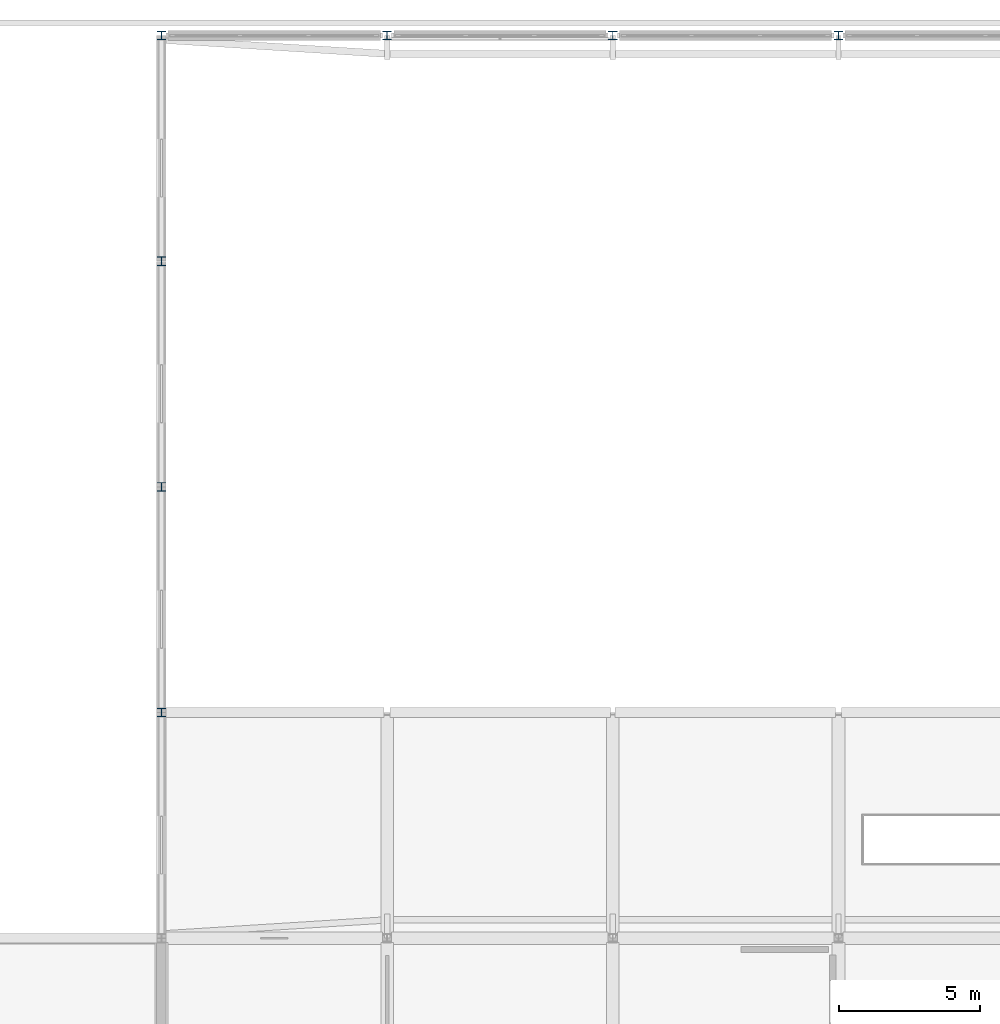
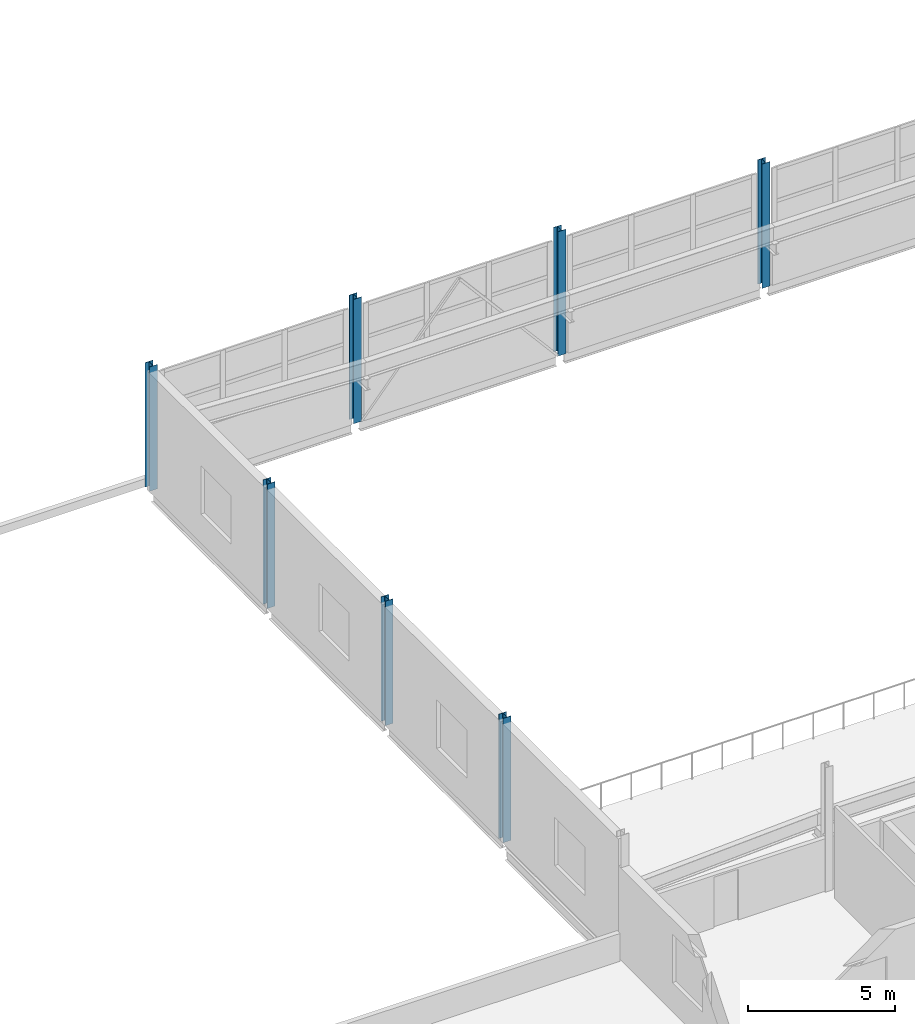
# One storey, part 9 of 106: 7 columns.
"""IFC4 building model written with IfcOpenShell, lengths in metres."""

from ifc_helpers import new_model, si_unit, direction, frame, origin, origin_2d, place, context, subcontext, project, spatial, i_section, extrude, material, material_profile, profile_set, type_object, element, save


model = new_model("IFC4")

# Units and contexts
model_context = context("Model", 3, precision=1e-05, world=origin(), true_north=direction((0.0, 1.0)))
body_context = subcontext(model_context, "Body", "Model", "MODEL_VIEW")
ifc_project = project(units=[si_unit("LENGTHUNIT", "METRE"), si_unit("AREAUNIT", "SQUARE_METRE"), si_unit("VOLUMEUNIT", "CUBIC_METRE"), si_unit("PLANEANGLEUNIT", "RADIAN"), si_unit("MASSUNIT", "GRAM", prefix="KILO")], contexts=[model_context])

# Site, building, storey
site_placement = place(None, origin())
site = spatial("IfcSite", under=ifc_project, at=site_placement, CompositionType="ELEMENT")
building_placement = place(site_placement, origin())
building = spatial("IfcBuilding", under=site, at=building_placement, Name="Jelvoka-Kovrelna Polytechnic", CompositionType="ELEMENT")
storey_placement = place(building_placement, frame((0.0, 0.0, 4.800048828125)))
storey = spatial("IfcBuildingStorey", under=building, at=storey_placement, Name="L02", CompositionType="ELEMENT", Elevation=4.800048828125)

# Columns
ifc_material = material(Name="Structural steel S355JR", Category="steel")
ifc_material_profile = material_profile(ifc_material, i_section(OverallWidth=0.305419921875, OverallDepth=0.307861328125, WebThickness=0.010009765625, FlangeThickness=0.015380859375, FilletRadius=0.01513671875, at=origin_2d()), Name="305x305x97 UC")
ifc_profile_set = profile_set([ifc_material_profile], Name="Structural steel S355JR")
column_type = type_object("IfcColumnType", Name="Col_Steel_UC305", PredefinedType="COLUMN", material=ifc_profile_set)
for number, where, z_axis, x_axis, name in (
    (1, (88.0, 96.0, 0.0), (0.0, 0.0, 1.0), (1.0, 0.0, 0.0), "L02 column 1578"),
    (2, (88.0, 104.0, 0.0), (0.0, 0.0, 1.0), (1.0, 0.0, 0.0), "L02 column 1610"),
    (3, (88.0, 112.0, 0.0), (0.0, 0.0, 1.0), (1.0, 0.0, 0.0), "L02 column 1616"),
    (4, (88.0, 120.0, 0.0), (0.0, 0.0, 1.0), (1.0, 0.0, 0.0), "L02 column 1622"),
    (5, (96.0, 120.0, 0.0), (0.0, 0.0, 1.0), (1.0, 0.0, 0.0), "L02 column 1625"),
    (6, (104.0, 120.0, 0.0), (0.0, 0.0, 1.0), (1.0, 0.0, 0.0), "L02 column 1628"),
    (7, (112.0, 120.0, 0.0), (0.0, 0.0, 1.0), (1.0, 0.0, 0.0), "L02 column 1631"),
):
    element("IfcColumn", number, at=place(storey_placement, frame(where, z_axis=z_axis, x_axis=x_axis)), inside=storey, type_object=column_type, Name=name, PredefinedType="COLUMN", context=body_context, shape_type="SweptSolid", body=[
        extrude(i_section(OverallWidth=0.305419921875, OverallDepth=0.307861328125, WebThickness=0.010009765625, FlangeThickness=0.015380859375, FilletRadius=0.01513671875, at=origin_2d()), origin(), (0.0, 0.0, 1.0), 5.14990234375),
    ])

save(model, "model.ifc")
